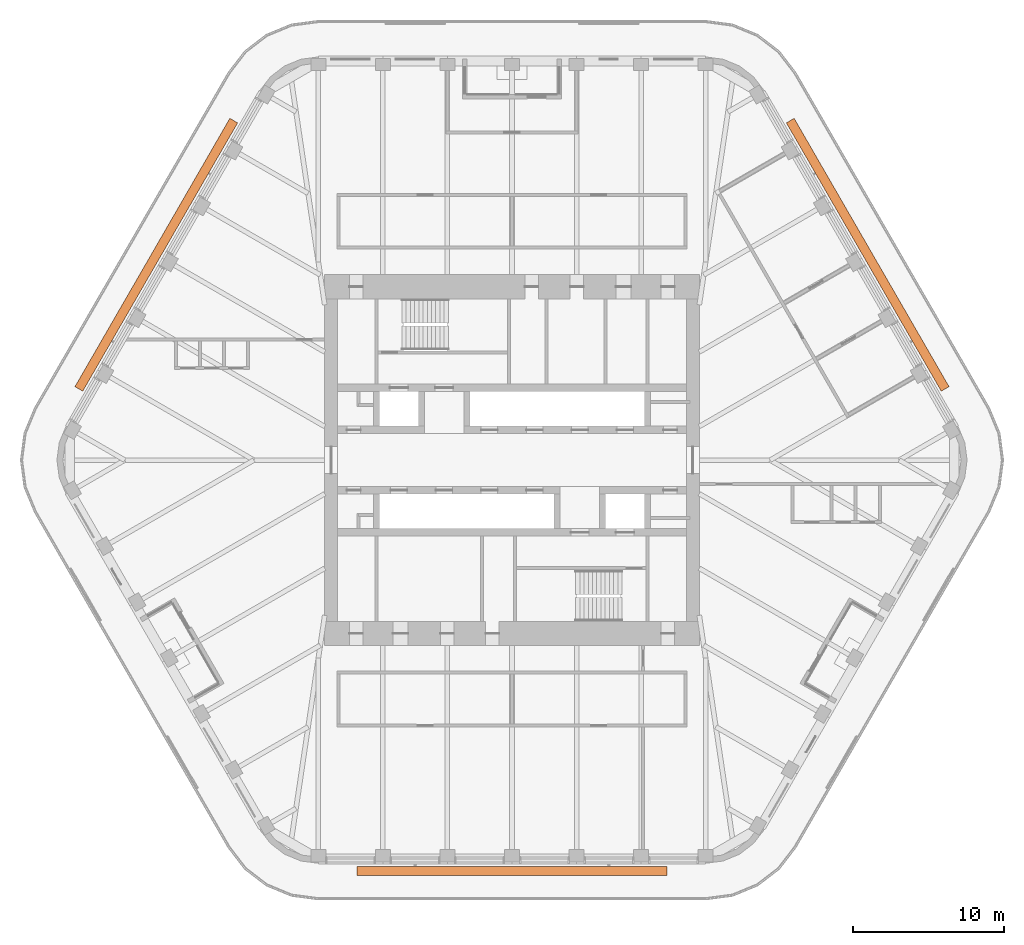
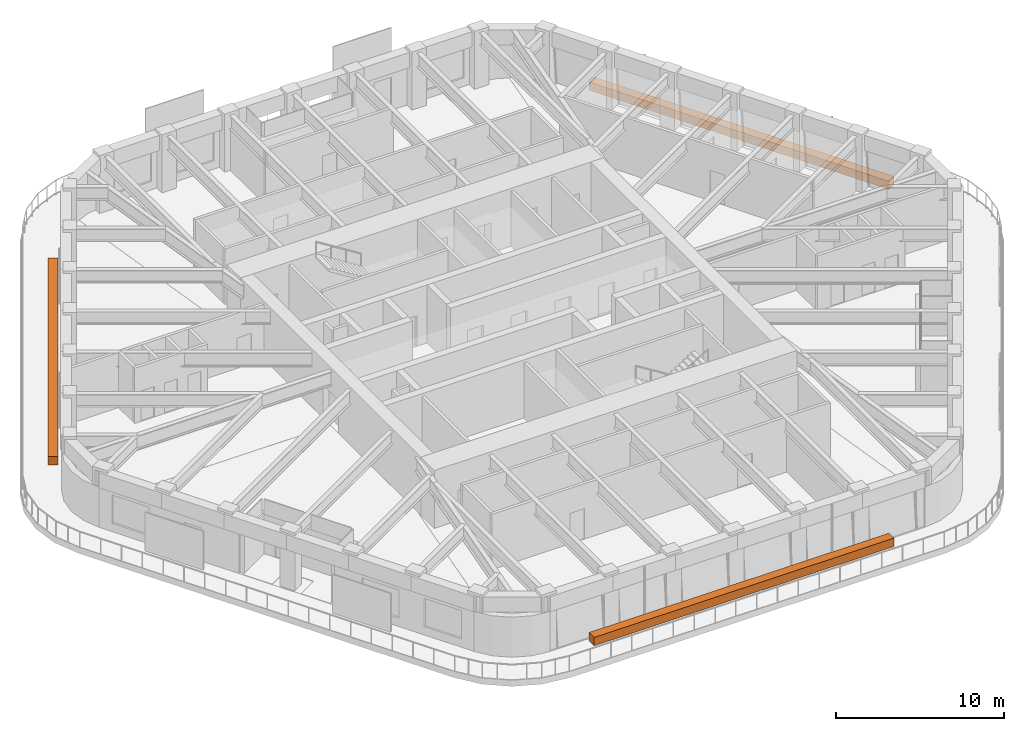
# One storey, part 19 of 19: 3 proxies.
"""IFC4 building model written with IfcOpenShell, lengths in metres."""

import ifcopenshell
import ifcopenshell.guid

model = None  # the IFC model being written
_history = None  # IfcOwnerHistory: only IFC2X3 demands one
_inside = {}  # id of a spatial element -> (the spatial element, [elements in it])
_under = {}  # id of a project, library or spatial element -> (it, [spatial elements below it])
_declared = {}  # id of a project -> (the project, [libraries it declares])
_typed = {}  # id of a type object -> (the type object, [elements of that type])
_made_of = {}  # id of a material, layer set ... -> (it, [elements and type objects made of it])


def new_model(schema):
    """Start an empty IFC model of exactly this schema.

    Asked for "IFC4X3", IfcOpenShell would pick the latest addendum, in which some entities
    have other attributes; the version numbers below select the first issue.
    IFC2X3 requires an IfcOwnerHistory on every rooted entity: one is made here for all.
    """
    global model, _history
    if schema == "IFC4X3":
        model = ifcopenshell.file(schema_version=(4, 3, 0, 0))
    else:
        model = ifcopenshell.file(schema=schema)
    _inside.clear()
    _under.clear()
    _declared.clear()
    _typed.clear()
    _made_of.clear()
    _history = None
    if model.schema == "IFC2X3":
        org = make("IfcOrganization", Name="unknown")
        user = make(
            "IfcPersonAndOrganization",
            ThePerson=make("IfcPerson", FamilyName="unknown"),
            TheOrganization=org,
        )
        app = make(
            "IfcApplication",
            ApplicationDeveloper=org,
            Version="unknown",
            ApplicationFullName="unknown",
            ApplicationIdentifier="unknown",
        )
        _history = make(
            "IfcOwnerHistory",
            OwningUser=user,
            OwningApplication=app,
            ChangeAction="ADDED",
            CreationDate=0,
        )
    return model


def make(cls, **values):
    """One entity of the class cls with the attributes given. An attribute that is None is left unset."""
    return model.create_entity(
        cls, **{name: value for name, value in values.items() if value is not None}
    )


def rooted(cls, **values):
    """An entity with a GlobalId (a new one), such as an element, a storey or a relation."""
    return make(cls, GlobalId=ifcopenshell.guid.new(), OwnerHistory=_history, **values)


def si_unit(unit_type, name, prefix=None):
    """IfcSIUnit, for example si_unit("LENGTHUNIT", "METRE", prefix="MILLI")."""
    return make("IfcSIUnit", UnitType=unit_type, Prefix=prefix, Name=name)


def assignment(units):
    """IfcUnitAssignment: the units of a project."""
    return None if units is None else make("IfcUnitAssignment", Units=units)


def point(xyz):
    """IfcCartesianPoint."""
    return None if xyz is None else make("IfcCartesianPoint", Coordinates=xyz)


def direction(xyz):
    """IfcDirection."""
    return None if xyz is None else make("IfcDirection", DirectionRatios=xyz)


def frame(location, z_axis=None, x_axis=None):
    """IfcAxis2Placement3D, a coordinate frame: its origin and axes. An axis left out is left unset."""
    return make(
        "IfcAxis2Placement3D",
        Location=point(location),
        Axis=direction(z_axis),
        RefDirection=direction(x_axis),
    )


def frame_2d(location, x_axis=None):
    """IfcAxis2Placement2D, a coordinate frame in the plane: its origin and x axis."""
    return make(
        "IfcAxis2Placement2D", Location=point(location), RefDirection=direction(x_axis)
    )


def origin():
    """The frame at (0, 0, 0) with its axes left unset."""
    return frame((0.0, 0.0, 0.0))


def origin_2d():
    """The frame at (0, 0) in the plane with its x axis left unset."""
    return frame_2d((0.0, 0.0))


def place(relative_to, where):
    """IfcLocalPlacement: puts the frame where relative to a parent placement (None: the world)."""
    return make(
        "IfcLocalPlacement", PlacementRelTo=relative_to, RelativePlacement=where
    )


def context(
    kind, dimensions, precision=None, world=None, true_north=None, identifier=None
):
    """IfcGeometricRepresentationContext, for example the 3D "Model" context."""
    return make(
        "IfcGeometricRepresentationContext",
        ContextIdentifier=identifier,
        ContextType=kind,
        CoordinateSpaceDimension=dimensions,
        Precision=precision,
        WorldCoordinateSystem=world,
        TrueNorth=true_north,
    )


def subcontext(parent, identifier, kind, view, scale=None):
    """IfcGeometricRepresentationSubContext, for example "Body" below "Model"."""
    return make(
        "IfcGeometricRepresentationSubContext",
        ContextIdentifier=identifier,
        ContextType=kind,
        ParentContext=parent,
        TargetScale=scale,
        TargetView=view,
    )


def project(units=None, contexts=None):
    """IfcProject with its units and contexts."""
    return rooted(
        "IfcProject",
        Name="project",
        RepresentationContexts=contexts,
        UnitsInContext=assignment(units),
    )


def spatial(cls, under=None, at=None, **own):
    """A site, building, storey or space (cls), placed at a placement, below another one or the project."""
    s = rooted(cls, ObjectPlacement=at, **own)
    if under is not None:
        _under.setdefault(under.id(), (under, []))[1].append(s)
    return s


def profile(cls, at=None, kind="AREA", **sizes):
    """A parametric profile (cls). Its sizes go by their IFC names, for example OverallWidth=200.0."""
    return make(cls, ProfileType=kind, Position=at, **sizes)


def rectangle(**sizes):
    """IfcRectangleProfileDef."""
    return profile("IfcRectangleProfileDef", **sizes)


def extrude(swept, where, along, depth):
    """IfcExtrudedAreaSolid: the profile swept, set in the frame where, extruded along a direction by depth."""
    return make(
        "IfcExtrudedAreaSolid",
        SweptArea=swept,
        Position=where,
        ExtrudedDirection=direction(along),
        Depth=depth,
    )


def shape(context_of_items, identifier, shape_type, items):
    """IfcShapeRepresentation: the items that make up one representation, for example the "Body"."""
    return make(
        "IfcShapeRepresentation",
        ContextOfItems=context_of_items,
        RepresentationIdentifier=identifier,
        RepresentationType=shape_type,
        Items=items,
    )


def material(Name=None, Category=None):
    """IfcMaterial."""
    return make("IfcMaterial", Name=Name, Category=Category)


def made_of(thing, what):
    """Note that an element or type object is made of a material, layer set ...; save() writes the relation."""
    if what is not None:
        _made_of.setdefault(what.id(), (what, []))[1].append(thing)
    return thing


def element(
    cls,
    number,
    at=None,
    inside=None,
    cuts=None,
    type_object=None,
    material=None,
    context=None,
    identifier="Body",
    shape_type=None,
    held_by="IfcProductDefinitionShape",
    body=None,
    shapes=None,
    **own,
):
    """One element of the class cls, such as IfcWall. Its Tag is "e" and its number.

    at: its placement. inside: the storey or other place that contains it. cuts: it is an
    opening in that element (IfcRelVoidsElement). A single representation is given by context,
    identifier, shape_type and body (its items); several are given by shapes. held_by: the class
    of the entity that holds the representations. save() writes the other relations.
    """
    e = rooted(cls, Tag="e%d" % number, ObjectPlacement=at, **own)
    if body is not None:
        shapes = [shape(context, identifier, shape_type, body)]
    if shapes is not None:
        e.Representation = make(held_by, Representations=shapes)
    if inside is not None:
        _inside.setdefault(inside.id(), (inside, []))[1].append(e)
    if cuts is not None:
        rooted(
            "IfcRelVoidsElement", RelatingBuildingElement=cuts, RelatedOpeningElement=e
        )
    if type_object is not None:
        _typed.setdefault(type_object.id(), (type_object, []))[1].append(e)
    return made_of(e, material)


def aggregate(whole, parts):
    """IfcRelAggregates: a whole, such as a stair, and the parts it consists of."""
    return rooted("IfcRelAggregates", RelatingObject=whole, RelatedObjects=parts)


def save(model, path):
    """Write the relations noted so far, then the file.

    IfcRelAggregates (storeys below a building ...), IfcRelContainedInSpatialStructure (elements
    in a storey), IfcRelDefinesByType, IfcRelAssociatesMaterial and IfcRelDeclares: one each for
    every whole, place, type object, material and project.
    """
    for whole, parts in _under.values():
        aggregate(whole, parts)
    for where, things in _inside.values():
        rooted(
            "IfcRelContainedInSpatialStructure",
            RelatedElements=things,
            RelatingStructure=where,
        )
    for kind, things in _typed.values():
        rooted("IfcRelDefinesByType", RelatedObjects=things, RelatingType=kind)
    for what, things in _made_of.values():
        rooted("IfcRelAssociatesMaterial", RelatedObjects=things, RelatingMaterial=what)
    for by, libraries in _declared.values():
        rooted("IfcRelDeclares", RelatingContext=by, RelatedDefinitions=libraries)
    model.write(path)


model = new_model("IFC4")

# Units and contexts
model_context = context("Model", 3, precision=1e-05, world=origin(), true_north=direction((0.0, 1.0)))
body_context = subcontext(model_context, "Body", "Model", "MODEL_VIEW")
ifc_project = project(units=[si_unit("LENGTHUNIT", "METRE"), si_unit("AREAUNIT", "SQUARE_METRE"), si_unit("VOLUMEUNIT", "CUBIC_METRE"), si_unit("PLANEANGLEUNIT", "RADIAN"), si_unit("MASSUNIT", "GRAM", prefix="KILO")], contexts=[model_context])

# Site, building, storey
site_placement = place(None, origin())
site = spatial("IfcSite", under=ifc_project, at=site_placement, CompositionType="ELEMENT")
building_placement = place(site_placement, origin())
building = spatial("IfcBuilding", under=site, at=building_placement, Name="Tarfa Lantern Tower", CompositionType="ELEMENT")
storey_placement = place(building_placement, frame((0.0, 0.0, 340.89990234375)))
storey = spatial("IfcBuildingStorey", under=building, at=storey_placement, Name="L77", CompositionType="ELEMENT", Elevation=340.89990234375)

# Proxies
ifc_material = material(Name="Planting bed")
for number, where, z_axis, x_axis, name in (
    (1, (23.59912109375, 13.625, 0.0), (0.0, 0.0, 1.0), (-0.5, 0.866025403784, 0.0), "Balcony planter"),
    (2, (-23.59912109375, 13.625, 0.0), (0.0, 0.0, 1.0), (-0.5, -0.866025403784, 0.0), "Balcony planter"),
    (3, (0.0, -27.25, 0.0), (0.0, 0.0, 1.0), (1.0, 0.0, 0.0), "Balcony planter"),
):
    element("IfcBuildingElementProxy", number, at=place(storey_placement, frame(where, z_axis=z_axis, x_axis=x_axis)), inside=storey, material=ifc_material, Name=name, ObjectType="PLANTER", PredefinedType="USERDEFINED", context=body_context, shape_type="SweptSolid", body=[
        extrude(rectangle(XDim=20.5537109375, YDim=0.60009765625, at=origin_2d()), origin(), (0.0, 0.0, 1.0), 0.60009765625),
    ])

save(model, "model.ifc")
